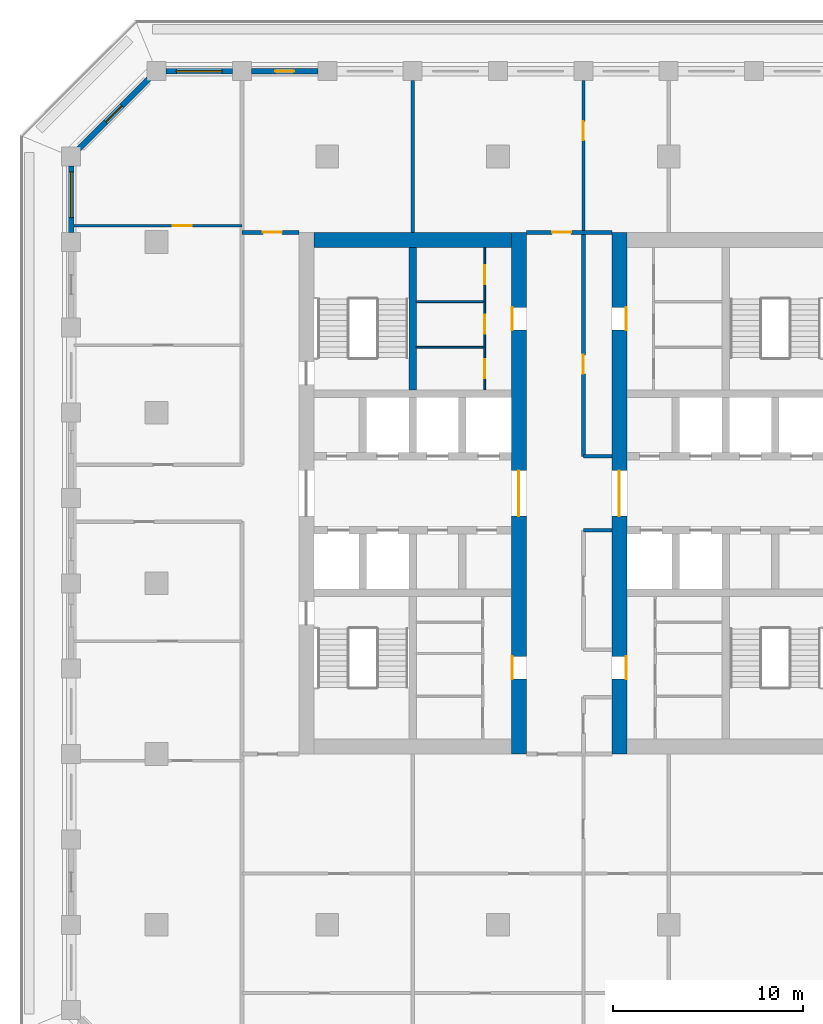
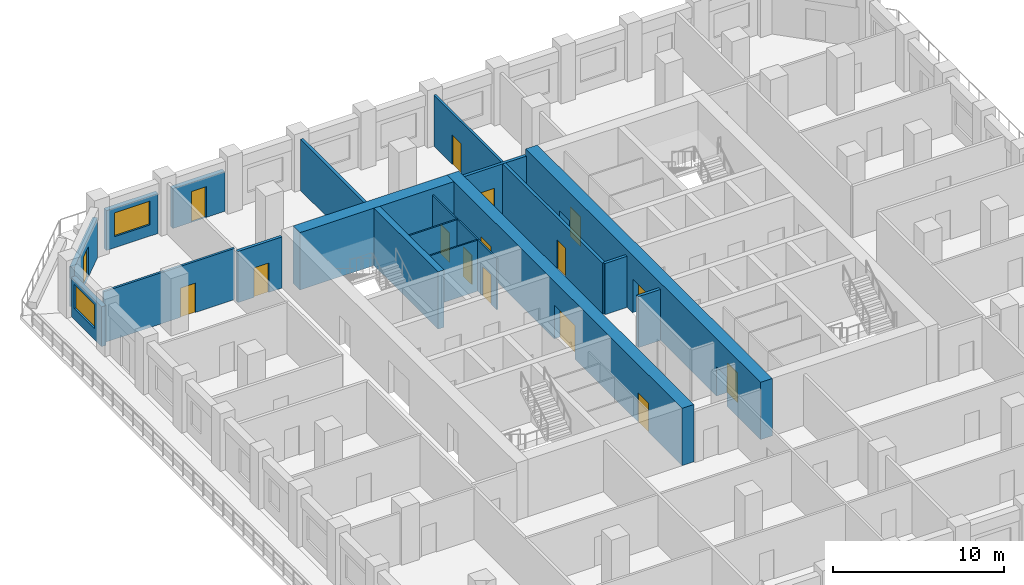
# One storey, part 6 of 16: 21 walls, 16 doors, 2 windows, 18 openings.
"""IFC4 building model written with IfcOpenShell, lengths in metres."""

from ifc_helpers import new_model, si_unit, direction, frame, frame_2d, origin, place, context, subcontext, project, spatial, rectangle, extrude, material, layer, layer_set, type_object, element, fill, save


model = new_model("IFC4")

# Units and contexts
model_context = context("Model", 3, precision=1e-05, world=origin(), true_north=direction((0.0, 1.0)))
body_context = subcontext(model_context, "Body", "Model", "MODEL_VIEW")
ifc_project = project(units=[si_unit("LENGTHUNIT", "METRE"), si_unit("AREAUNIT", "SQUARE_METRE"), si_unit("VOLUMEUNIT", "CUBIC_METRE"), si_unit("PLANEANGLEUNIT", "RADIAN"), si_unit("MASSUNIT", "GRAM", prefix="KILO")], contexts=[model_context])

# Site, building, storey
site_placement = place(None, origin())
site = spatial("IfcSite", under=ifc_project, at=site_placement, CompositionType="ELEMENT")
building_placement = place(site_placement, origin())
building = spatial("IfcBuilding", under=site, at=building_placement, Name="Corbel Stack Research Tower", CompositionType="ELEMENT")
storey_placement = place(building_placement, frame((0.0, 0.0, 203.800048828125)))
storey = spatial("IfcBuildingStorey", under=building, at=storey_placement, Name="L46", CompositionType="ELEMENT", Elevation=203.800048828125)

# Wall
ifc_material_1 = material(Name="Concrete C60/75", Category="concrete")
ifc_layer_1 = layer(ifc_material_1, 0.39990234375)
ifc_layer_set_1 = layer_set([ifc_layer_1], Name="Concrete C60/75")
wall_type_1 = type_object("IfcWallType", Name="CW-400-60", PredefinedType="SHEAR", material=ifc_layer_set_1)
wall_1_placement = place(storey_placement, frame((-4.5, 10.199951171875, 0.0), z_axis=(0.0, 0.0, 1.0), x_axis=(0.0, 1.0, 0.0)))
element("IfcWall", 1, at=wall_1_placement, inside=storey, type_object=wall_type_1, Name="West core wall, north stair and riser L46", PredefinedType="SHEAR", context=body_context, shape_type="SweptSolid", body=[
    extrude(rectangle(XDim=7.5, YDim=0.39990234375, at=frame_2d((3.75, 0.0))), origin(), (0.0, 0.0, 1.0), 4.099853515625),
])

# Wall, openings, doors
ifc_material_2 = material(Name="Concrete C60/75", Category="concrete")
ifc_layer_2 = layer(ifc_material_2, 0.800048828125)
ifc_layer_set_2 = layer_set([ifc_layer_2], Name="Concrete C60/75")
wall_type_2 = type_object("IfcWallType", Name="CW-800-60", PredefinedType="SHEAR", material=ifc_layer_set_2)
wall_2_placement = place(storey_placement, frame((1.10009765625, -9.0, 0.0), z_axis=(0.0, 0.0, 1.0), x_axis=(0.0, 1.0, 0.0)))
wall_2 = element("IfcWall", 2, at=wall_2_placement, inside=storey, type_object=wall_type_2, Name="West core wall, east face L46", PredefinedType="SHEAR", context=body_context, shape_type="SweptSolid", body=[
    extrude(rectangle(XDim=27.5, YDim=0.800048828125, at=frame_2d((13.75, 0.0))), origin(), (0.0, 0.0, 1.0), 4.099853515625),
])
opening_1_placement = place(wall_2_placement, frame((12.550048828125, 0.0, 0.0)))
opening_1 = element("IfcOpeningElement", 3, at=opening_1_placement, cuts=wall_2, Name="Opening CD-W-E", PredefinedType="OPENING", context=body_context, shape_type="SweptSolid", body=[
    extrude(rectangle(XDim=2.39990234375, YDim=2.39990234375, at=frame_2d((1.199951171875, 1.199951171875))), frame((0.0, 0.409912109375, 0.0), z_axis=(0.0, -1.0, 0.0), x_axis=(1.0, 0.0, 0.0)), (0.0, 0.0, 1.0), 0.820068359375),
])
opening_2_placement = place(wall_2_placement, frame((3.949951171875, 0.0, 0.0)))
opening_2 = element("IfcOpeningElement", 4, at=opening_2_placement, cuts=wall_2, Name="Opening CR-W42-W1-1200", PredefinedType="OPENING", context=body_context, shape_type="SweptSolid", body=[
    extrude(rectangle(XDim=1.199951171875, YDim=2.10009765625, at=frame_2d((0.60009765625, 1.050048828125))), frame((0.0, 0.409912109375, 0.0), z_axis=(0.0, -1.0, 0.0), x_axis=(1.0, 0.0, 0.0)), (0.0, 0.0, 1.0), 0.820068359375),
])
opening_3_placement = place(wall_2_placement, frame((22.35009765625, 0.0, 0.0)))
opening_3 = element("IfcOpeningElement", 5, at=opening_3_placement, cuts=wall_2, Name="Opening CR-W42-R1-1200", PredefinedType="OPENING", context=body_context, shape_type="SweptSolid", body=[
    extrude(rectangle(XDim=1.199951171875, YDim=2.10009765625, at=frame_2d((0.60009765625, 1.050048828125))), frame((0.0, 0.409912109375, 0.0), z_axis=(0.0, -1.0, 0.0), x_axis=(1.0, 0.0, 0.0)), (0.0, 0.0, 1.0), 0.820068359375),
])
ifc_material_3 = material(Name="Painted steel fire door", Category="steel")
door_type_1 = type_object("IfcDoorType", Name="Lobby door pair 2400 x 2400 FD30S", OperationType="DOUBLE_DOOR_DOUBLE_SWING", PredefinedType="DOOR", material=ifc_material_3)
door_1_placement = place(opening_1_placement, origin())
door_1 = element("IfcDoor", 6, at=door_1_placement, inside=storey, type_object=door_type_1, Name="Lift lobby door W core E", OperationType="DOUBLE_DOOR_DOUBLE_SWING", OverallHeight=2.39990234375, OverallWidth=2.39990234375, PredefinedType="DOOR", context=body_context, shape_type="SweptSolid", body=[
    extrude(rectangle(XDim=2.39990234375, YDim=2.39990234375, at=frame_2d((1.199951171875, 1.199951171875))), frame((0.0, 0.02490234375, 0.0), z_axis=(0.0, -1.0, 0.0), x_axis=(1.0, 0.0, 0.0)), (0.0, 0.0, 1.0), 0.050048828125),
])
fill(opening_1, door_1)
ifc_material_4 = material(Name="Painted steel door", Category="steel")
door_type_2 = type_object("IfcDoorType", Name="Service door 1200 x 2100 FD30 left hand", OperationType="SINGLE_SWING_LEFT", PredefinedType="DOOR", material=ifc_material_4)
door_2_placement = place(opening_3_placement, origin())
door_2 = element("IfcDoor", 7, at=door_2_placement, inside=storey, type_object=door_type_2, Name="Service passage door W core", OperationType="SINGLE_SWING_LEFT", OverallHeight=2.10009765625, OverallWidth=1.199951171875, PredefinedType="DOOR", context=body_context, shape_type="SweptSolid", body=[
    extrude(rectangle(XDim=1.199951171875, YDim=2.10009765625, at=frame_2d((0.60009765625, 1.050048828125))), frame((0.0, 0.375, 0.0), z_axis=(0.0, -1.0, 0.0), x_axis=(1.0, 0.0, 0.0)), (0.0, 0.0, 1.0), 0.050048828125),
])
fill(opening_3, door_2)
ifc_material_5 = material(Name="Painted timber door", Category="wood")
door_type_3 = type_object("IfcDoorType", Name="WC door 1200 x 2100 left hand", OperationType="SINGLE_SWING_LEFT", PredefinedType="DOOR", material=ifc_material_5)
door_3_placement = place(opening_2_placement, origin())
door_3 = element("IfcDoor", 8, at=door_3_placement, inside=storey, type_object=door_type_3, Name="WC lobby door W core", OperationType="SINGLE_SWING_LEFT", OverallHeight=2.10009765625, OverallWidth=1.199951171875, PredefinedType="DOOR", context=body_context, shape_type="SweptSolid", body=[
    extrude(rectangle(XDim=1.199951171875, YDim=2.10009765625, at=frame_2d((0.60009765625, 1.050048828125))), frame((0.0, 0.375, 0.0), z_axis=(0.0, -1.0, 0.0), x_axis=(1.0, 0.0, 0.0)), (0.0, 0.0, 1.0), 0.050048828125),
])
fill(opening_2, door_3)

# Wall
wall_3_placement = place(storey_placement, frame((-9.699951171875, 18.10009765625, 0.0), z_axis=(0.0, 0.0, 1.0), x_axis=(1.0, 0.0, 0.0)))
element("IfcWall", 9, at=wall_3_placement, inside=storey, type_object=wall_type_2, Name="West core wall, north end L46", PredefinedType="SHEAR", context=body_context, shape_type="SweptSolid", body=[
    extrude(rectangle(XDim=10.39990234375, YDim=0.800048828125, at=frame_2d((5.199951171875, 0.0))), origin(), (0.0, 0.0, 1.0), 4.099853515625),
])

# Wall, openings, doors
wall_4_placement = place(storey_placement, frame((6.39990234375, -9.0, 0.0), z_axis=(0.0, 0.0, 1.0), x_axis=(0.0, 1.0, 0.0)))
wall_4 = element("IfcWall", 10, at=wall_4_placement, inside=storey, type_object=wall_type_2, Name="East core wall, west face L46", PredefinedType="SHEAR", context=body_context, shape_type="SweptSolid", body=[
    extrude(rectangle(XDim=27.5, YDim=0.800048828125, at=frame_2d((13.75, 0.0))), origin(), (0.0, 0.0, 1.0), 4.099853515625),
])
opening_4_placement = place(wall_4_placement, frame((12.550048828125, 0.0, 0.0)))
opening_4 = element("IfcOpeningElement", 11, at=opening_4_placement, cuts=wall_4, Name="Opening CD-E-W", PredefinedType="OPENING", context=body_context, shape_type="SweptSolid", body=[
    extrude(rectangle(XDim=2.39990234375, YDim=2.39990234375, at=frame_2d((1.199951171875, 1.199951171875))), frame((0.0, 0.409912109375, 0.0), z_axis=(0.0, -1.0, 0.0), x_axis=(1.0, 0.0, 0.0)), (0.0, 0.0, 1.0), 0.820068359375),
])
opening_5_placement = place(wall_4_placement, frame((3.949951171875, 0.0, 0.0)))
opening_5 = element("IfcOpeningElement", 12, at=opening_5_placement, cuts=wall_4, Name="Opening CR-E42-W1-1200", PredefinedType="OPENING", context=body_context, shape_type="SweptSolid", body=[
    extrude(rectangle(XDim=1.199951171875, YDim=2.10009765625, at=frame_2d((0.60009765625, 1.050048828125))), frame((0.0, 0.409912109375, 0.0), z_axis=(0.0, -1.0, 0.0), x_axis=(1.0, 0.0, 0.0)), (0.0, 0.0, 1.0), 0.820068359375),
])
opening_6_placement = place(wall_4_placement, frame((22.35009765625, 0.0, 0.0)))
opening_6 = element("IfcOpeningElement", 13, at=opening_6_placement, cuts=wall_4, Name="Opening CR-E42-R1-1200", PredefinedType="OPENING", context=body_context, shape_type="SweptSolid", body=[
    extrude(rectangle(XDim=1.199951171875, YDim=2.10009765625, at=frame_2d((0.60009765625, 1.050048828125))), frame((0.0, 0.409912109375, 0.0), z_axis=(0.0, -1.0, 0.0), x_axis=(1.0, 0.0, 0.0)), (0.0, 0.0, 1.0), 0.820068359375),
])
door_4_placement = place(opening_4_placement, origin())
door_4 = element("IfcDoor", 14, at=door_4_placement, inside=storey, type_object=door_type_1, Name="Lift lobby door E core W", OperationType="DOUBLE_DOOR_DOUBLE_SWING", OverallHeight=2.39990234375, OverallWidth=2.39990234375, PredefinedType="DOOR", context=body_context, shape_type="SweptSolid", body=[
    extrude(rectangle(XDim=2.39990234375, YDim=2.39990234375, at=frame_2d((1.199951171875, 1.199951171875))), frame((0.0, 0.02490234375, 0.0), z_axis=(0.0, -1.0, 0.0), x_axis=(1.0, 0.0, 0.0)), (0.0, 0.0, 1.0), 0.050048828125),
])
fill(opening_4, door_4)
ifc_material_6 = material(Name="Painted steel door", Category="steel")
door_type_4 = type_object("IfcDoorType", Name="Service door 1200 x 2100 FD30 right hand", OperationType="SINGLE_SWING_RIGHT", PredefinedType="DOOR", material=ifc_material_6)
door_5_placement = place(opening_6_placement, origin())
door_5 = element("IfcDoor", 15, at=door_5_placement, inside=storey, type_object=door_type_4, Name="Service passage door E core", OperationType="SINGLE_SWING_RIGHT", OverallHeight=2.10009765625, OverallWidth=1.199951171875, PredefinedType="DOOR", context=body_context, shape_type="SweptSolid", body=[
    extrude(rectangle(XDim=1.199951171875, YDim=2.10009765625, at=frame_2d((0.60009765625, 1.050048828125))), frame((0.0, -0.3251953125, 0.0), z_axis=(0.0, -1.0, 0.0), x_axis=(1.0, 0.0, 0.0)), (0.0, 0.0, 1.0), 0.050048828125),
])
fill(opening_6, door_5)
ifc_material_7 = material(Name="Painted timber door", Category="wood")
door_type_5 = type_object("IfcDoorType", Name="WC door 1200 x 2100 right hand", OperationType="SINGLE_SWING_RIGHT", PredefinedType="DOOR", material=ifc_material_7)
door_6_placement = place(opening_5_placement, origin())
door_6 = element("IfcDoor", 16, at=door_6_placement, inside=storey, type_object=door_type_5, Name="WC lobby door E core", OperationType="SINGLE_SWING_RIGHT", OverallHeight=2.10009765625, OverallWidth=1.199951171875, PredefinedType="DOOR", context=body_context, shape_type="SweptSolid", body=[
    extrude(rectangle(XDim=1.199951171875, YDim=2.10009765625, at=frame_2d((0.60009765625, 1.050048828125))), frame((0.0, -0.3251953125, 0.0), z_axis=(0.0, -1.0, 0.0), x_axis=(1.0, 0.0, 0.0)), (0.0, 0.0, 1.0), 0.050048828125),
])
fill(opening_5, door_6)

# Wall, opening, door
ifc_material_8 = material(Name="Gypsum board")
ifc_layer_3 = layer(ifc_material_8, 0.10009765625)
ifc_layer_set_3 = layer_set([ifc_layer_3], Name="Gypsum board")
wall_type_3 = type_object("IfcWallType", Name="Core partition 100", PredefinedType="PARTITIONING", material=ifc_layer_set_3)
wall_5_placement = place(storey_placement, frame((-0.699951171875, 10.199951171875, 0.0), z_axis=(0.0, 0.0, 1.0), x_axis=(0.0, 1.0, 0.0)))
wall_5 = element("IfcWall", 17, at=wall_5_placement, inside=storey, type_object=wall_type_3, Name="Core partition W", PredefinedType="PARTITIONING", context=body_context, shape_type="SweptSolid", body=[
    extrude(rectangle(XDim=2.25, YDim=0.10009765625, at=frame_2d((1.125, 0.0))), origin(), (0.0, 0.0, 1.0), 3.64990234375),
])
opening_7_placement = place(wall_5_placement, frame((0.625, 0.0, 0.0)))
opening_7 = element("IfcOpeningElement", 18, at=opening_7_placement, cuts=wall_5, Name="Opening CR-W42-R2-1000", PredefinedType="OPENING", context=body_context, shape_type="SweptSolid", body=[
    extrude(rectangle(XDim=1.0, YDim=2.10009765625, at=frame_2d((0.5, 1.050048828125))), frame((0.0, 0.06005859375, 0.0), z_axis=(0.0, -1.0, 0.0), x_axis=(1.0, 0.0, 0.0)), (0.0, 0.0, 1.0), 0.1201171875),
])
ifc_material_9 = material(Name="Painted steel door", Category="steel")
door_type_6 = type_object("IfcDoorType", Name="Riser door 1000 x 2100 FD60 right hand", OperationType="SINGLE_SWING_RIGHT", PredefinedType="DOOR", material=ifc_material_9)
door_7_placement = place(opening_7_placement, origin())
door_7 = element("IfcDoor", 19, at=door_7_placement, inside=storey, type_object=door_type_6, Name="Mechanical riser door W core", OperationType="SINGLE_SWING_RIGHT", OverallHeight=2.10009765625, OverallWidth=1.0, PredefinedType="DOOR", context=body_context, shape_type="SweptSolid", body=[
    extrude(rectangle(XDim=1.0, YDim=2.10009765625, at=frame_2d((0.5, 1.050048828125))), frame((0.0, 0.02490234375, 0.0), z_axis=(0.0, -1.0, 0.0), x_axis=(1.0, 0.0, 0.0)), (0.0, 0.0, 1.0), 0.050048828125),
])
fill(opening_7, door_7)

wall_6_placement = place(storey_placement, frame((-0.699951171875, 12.449951171875, 0.0), z_axis=(0.0, 0.0, 1.0), x_axis=(0.0, 1.0, 0.0)))
wall_6 = element("IfcWall", 20, at=wall_6_placement, inside=storey, type_object=wall_type_3, Name="Core partition W", PredefinedType="PARTITIONING", context=body_context, shape_type="SweptSolid", body=[
    extrude(rectangle(XDim=2.400146484375, YDim=0.10009765625, at=frame_2d((1.2001953125, 0.0))), origin(), (0.0, 0.0, 1.0), 3.64990234375),
])
opening_8_placement = place(wall_6_placement, frame((0.699951171875, 0.0, 0.0)))
opening_8 = element("IfcOpeningElement", 21, at=opening_8_placement, cuts=wall_6, Name="Opening CR-W42-R3-1000", PredefinedType="OPENING", context=body_context, shape_type="SweptSolid", body=[
    extrude(rectangle(XDim=1.0, YDim=2.10009765625, at=frame_2d((0.5, 1.050048828125))), frame((0.0, 0.06005859375, 0.0), z_axis=(0.0, -1.0, 0.0), x_axis=(1.0, 0.0, 0.0)), (0.0, 0.0, 1.0), 0.1201171875),
])
ifc_material_10 = material(Name="Painted steel door", Category="steel")
door_type_7 = type_object("IfcDoorType", Name="Service door 1000 x 2100 FD30 left hand", OperationType="SINGLE_SWING_LEFT", PredefinedType="DOOR", material=ifc_material_10)
door_8_placement = place(opening_8_placement, origin())
door_8 = element("IfcDoor", 22, at=door_8_placement, inside=storey, type_object=door_type_7, Name="Pantry door W core", OperationType="SINGLE_SWING_LEFT", OverallHeight=2.10009765625, OverallWidth=1.0, PredefinedType="DOOR", context=body_context, shape_type="SweptSolid", body=[
    extrude(rectangle(XDim=1.0, YDim=2.10009765625, at=frame_2d((0.5, 1.050048828125))), frame((0.0, 0.02490234375, 0.0), z_axis=(0.0, -1.0, 0.0), x_axis=(1.0, 0.0, 0.0)), (0.0, 0.0, 1.0), 0.050048828125),
])
fill(opening_8, door_8)

wall_7_placement = place(storey_placement, frame((-0.699951171875, 14.85009765625, 0.0), z_axis=(0.0, 0.0, 1.0), x_axis=(0.0, 1.0, 0.0)))
wall_7 = element("IfcWall", 23, at=wall_7_placement, inside=storey, type_object=wall_type_3, Name="Core partition W", PredefinedType="PARTITIONING", context=body_context, shape_type="SweptSolid", body=[
    extrude(rectangle(XDim=2.849853515625, YDim=0.10009765625, at=frame_2d((1.4248046875, 0.0))), origin(), (0.0, 0.0, 1.0), 3.64990234375),
])
opening_9_placement = place(wall_7_placement, frame((0.925048828125, 0.0, 0.0)))
opening_9 = element("IfcOpeningElement", 24, at=opening_9_placement, cuts=wall_7, Name="Opening CR-W42-R4-1000", PredefinedType="OPENING", context=body_context, shape_type="SweptSolid", body=[
    extrude(rectangle(XDim=1.0, YDim=2.10009765625, at=frame_2d((0.5, 1.050048828125))), frame((0.0, 0.06005859375, 0.0), z_axis=(0.0, -1.0, 0.0), x_axis=(1.0, 0.0, 0.0)), (0.0, 0.0, 1.0), 0.1201171875),
])
door_9_placement = place(opening_9_placement, origin())
door_9 = element("IfcDoor", 25, at=door_9_placement, inside=storey, type_object=door_type_6, Name="Electrical riser door W core", OperationType="SINGLE_SWING_RIGHT", OverallHeight=2.10009765625, OverallWidth=1.0, PredefinedType="DOOR", context=body_context, shape_type="SweptSolid", body=[
    extrude(rectangle(XDim=1.0, YDim=2.10009765625, at=frame_2d((0.5, 1.050048828125))), frame((0.0, 0.02490234375, 0.0), z_axis=(0.0, -1.0, 0.0), x_axis=(1.0, 0.0, 0.0)), (0.0, 0.0, 1.0), 0.050048828125),
])
fill(opening_9, door_9)

# Walls
for number, where, z_axis, x_axis, name in (
    (26, (-4.300048828125, 12.449951171875, 0.0), (0.0, 0.0, 1.0), (1.0, 0.0, 0.0), "Core partition W"),
    (27, (-4.300048828125, 14.85009765625, 0.0), (0.0, 0.0, 1.0), (1.0, 0.0, 0.0), "Core partition W"),
):
    element("IfcWall", number, at=place(storey_placement, frame(where, z_axis=z_axis, x_axis=x_axis)), inside=storey, type_object=wall_type_3, Name=name, PredefinedType="PARTITIONING", context=body_context, shape_type="SweptSolid", body=[
        extrude(rectangle(XDim=3.60009765625, YDim=0.10009765625, at=frame_2d((1.800048828125, 0.0))), origin(), (0.0, 0.0, 1.0), 3.64990234375),
    ])

# Wall, opening, door
ifc_material_11 = material(Name="Fire-rated gypsum board partition on steel studs", Category="steel")
ifc_layer_4 = layer(ifc_material_11, 0.14990234375)
ifc_layer_set_4 = layer_set([ifc_layer_4], Name="Fire-rated gypsum board partition on steel studs")
wall_type_4 = type_object("IfcWallType", Name="Fire-rated partition 150 EI 60", PredefinedType="PARTITIONING", material=ifc_layer_set_4)
wall_8_placement = place(storey_placement, frame((4.5, 26.5, 0.0), z_axis=(0.0, 0.0, 1.0), x_axis=(0.0, -1.0, 0.0)))
wall_8 = element("IfcWall", 28, at=wall_8_placement, inside=storey, type_object=wall_type_4, Name="Partition L46-006", PredefinedType="PARTITIONING", context=body_context, shape_type="SweptSolid", body=[
    extrude(rectangle(XDim=8.0, YDim=0.14990234375, at=frame_2d((4.0, 0.0))), origin(), (0.0, 0.0, 1.0), 3.64990234375),
])
opening_10_placement = place(wall_8_placement, frame((2.14990234375, 0.0, 0.0)))
opening_10 = element("IfcOpeningElement", 29, at=opening_10_placement, cuts=wall_8, Name="Opening B6V1-022", PredefinedType="OPENING", context=body_context, shape_type="SweptSolid", body=[
    extrude(rectangle(XDim=1.0, YDim=2.10009765625, at=frame_2d((0.5, 1.050048828125))), frame((0.0, 0.0849609375, 0.0), z_axis=(0.0, -1.0, 0.0), x_axis=(1.0, 0.0, 0.0)), (0.0, 0.0, 1.0), 0.169921875),
])
ifc_material_12 = material(Name="Painted steel fire door", Category="steel")
door_type_8 = type_object("IfcDoorType", Name="Fire door FD30S 1000 x 2100", OperationType="NOTDEFINED", PredefinedType="DOOR", material=ifc_material_12)
door_10_placement = place(opening_10_placement, origin())
door_10 = element("IfcDoor", 30, at=door_10_placement, inside=storey, type_object=door_type_8, Name="Door B6V1-022", OperationType="SINGLE_SWING_LEFT", OverallHeight=2.10009765625, OverallWidth=1.0, PredefinedType="DOOR", context=body_context, shape_type="SweptSolid", body=[
    extrude(rectangle(XDim=1.0, YDim=2.10009765625, at=frame_2d((0.5, 1.050048828125))), frame((0.0, 0.02490234375, 0.0), z_axis=(0.0, -1.0, 0.0), x_axis=(1.0, 0.0, 0.0)), (0.0, 0.0, 1.0), 0.050048828125),
])
fill(opening_10, door_10)

# Wall
ifc_material_13 = material(Name="Fire-rated gypsum board partition on steel studs", Category="steel")
ifc_layer_5 = layer(ifc_material_13, 0.199951171875)
ifc_layer_set_5 = layer_set([ifc_layer_5], Name="Fire-rated gypsum board partition on steel studs")
wall_type_5 = type_object("IfcWallType", Name="Fire-rated partition 200 EI 60", PredefinedType="PARTITIONING", material=ifc_layer_set_5)
wall_9_placement = place(storey_placement, frame((-4.5, 18.5, 0.0), z_axis=(0.0, 0.0, 1.0), x_axis=(0.0, 1.0, 0.0)))
element("IfcWall", 31, at=wall_9_placement, inside=storey, type_object=wall_type_5, Name="Partition L46-004", PredefinedType="PARTITIONING", context=body_context, shape_type="SweptSolid", body=[
    extrude(rectangle(XDim=8.0, YDim=0.199951171875, at=frame_2d((4.0, 0.0))), origin(), (0.0, 0.0, 1.0), 3.64990234375),
])

# Wall, opening, door
wall_10_placement = place(storey_placement, frame((4.5, 18.5, 0.0), z_axis=(0.0, 0.0, 1.0), x_axis=(0.0, -1.0, 0.0)))
wall_10 = element("IfcWall", 32, at=wall_10_placement, inside=storey, type_object=wall_type_5, Name="Partition L46-009", PredefinedType="PARTITIONING", context=body_context, shape_type="SweptSolid", body=[
    extrude(rectangle(XDim=11.800048828125, YDim=0.199951171875, at=frame_2d((5.89990234375, 0.0))), origin(), (0.0, 0.0, 1.0), 3.64990234375),
])
opening_11_placement = place(wall_10_placement, frame((6.449951171875, 0.0, 0.0)))
opening_11 = element("IfcOpeningElement", 33, at=opening_11_placement, cuts=wall_10, Name="Opening B6V1-021", PredefinedType="OPENING", context=body_context, shape_type="SweptSolid", body=[
    extrude(rectangle(XDim=1.0, YDim=2.10009765625, at=frame_2d((0.5, 1.050048828125))), frame((0.0, 0.10986328125, 0.0), z_axis=(0.0, -1.0, 0.0), x_axis=(1.0, 0.0, 0.0)), (0.0, 0.0, 1.0), 0.219970703125),
])
door_11_placement = place(opening_11_placement, origin())
door_11 = element("IfcDoor", 34, at=door_11_placement, inside=storey, type_object=door_type_8, Name="Door B6V1-021", OperationType="SINGLE_SWING_RIGHT", OverallHeight=2.10009765625, OverallWidth=1.0, PredefinedType="DOOR", context=body_context, shape_type="SweptSolid", body=[
    extrude(rectangle(XDim=1.0, YDim=2.10009765625, at=frame_2d((0.5, 1.050048828125))), frame((0.0, 0.02490234375, 0.0), z_axis=(0.0, -1.0, 0.0), x_axis=(1.0, 0.0, 0.0)), (0.0, 0.0, 1.0), 0.050048828125),
])
fill(opening_11, door_11)

# Walls
for number, where, z_axis, x_axis, name in (
    (35, (4.5, 2.800048828125, 0.0), (0.0, 0.0, 1.0), (1.0, 0.0, 0.0), "Partition L46-030"),
    (36, (4.5, 6.699951171875, 0.0), (0.0, 0.0, 1.0), (1.0, 0.0, 0.0), "Partition L46-035"),
):
    element("IfcWall", number, at=place(storey_placement, frame(where, z_axis=z_axis, x_axis=x_axis)), inside=storey, type_object=wall_type_5, Name=name, PredefinedType="PARTITIONING", context=body_context, shape_type="SweptSolid", body=[
        extrude(rectangle(XDim=1.5, YDim=0.199951171875, at=frame_2d((0.75, 0.0))), origin(), (0.0, 0.0, 1.0), 3.64990234375),
    ])

# Wall, opening, door
wall_11_placement = place(storey_placement, frame((-13.5, 18.5, 0.0), z_axis=(0.0, 0.0, 1.0), x_axis=(1.0, 0.0, 0.0)))
wall_11 = element("IfcWall", 37, at=wall_11_placement, inside=storey, type_object=wall_type_5, Name="Partition L46-038", PredefinedType="PARTITIONING", context=body_context, shape_type="SweptSolid", body=[
    extrude(rectangle(XDim=3.0, YDim=0.199951171875, at=frame_2d((1.5, 0.0))), origin(), (0.0, 0.0, 1.0), 3.64990234375),
])
opening_12_placement = place(wall_11_placement, frame((1.10009765625, 0.0, 0.0)))
opening_12 = element("IfcOpeningElement", 38, at=opening_12_placement, cuts=wall_11, Name="Opening B6V1-027", PredefinedType="OPENING", context=body_context, shape_type="SweptSolid", body=[
    extrude(rectangle(XDim=1.0, YDim=2.10009765625, at=frame_2d((0.5, 1.050048828125))), frame((0.0, 0.10986328125, 0.0), z_axis=(0.0, -1.0, 0.0), x_axis=(1.0, 0.0, 0.0)), (0.0, 0.0, 1.0), 0.219970703125),
])
door_12_placement = place(opening_12_placement, origin())
door_12 = element("IfcDoor", 39, at=door_12_placement, inside=storey, type_object=door_type_8, Name="Door B6V1-027", OperationType="SINGLE_SWING_RIGHT", OverallHeight=2.10009765625, OverallWidth=1.0, PredefinedType="DOOR", context=body_context, shape_type="SweptSolid", body=[
    extrude(rectangle(XDim=1.0, YDim=2.10009765625, at=frame_2d((0.5, 1.050048828125))), frame((0.0, 0.02490234375, 0.0), z_axis=(0.0, -1.0, 0.0), x_axis=(1.0, 0.0, 0.0)), (0.0, 0.0, 1.0), 0.050048828125),
])
fill(opening_12, door_12)

wall_12_placement = place(storey_placement, frame((1.5, 18.5, 0.0), z_axis=(0.0, 0.0, 1.0), x_axis=(1.0, 0.0, 0.0)))
wall_12 = element("IfcWall", 40, at=wall_12_placement, inside=storey, type_object=wall_type_5, Name="Partition L46-039", PredefinedType="PARTITIONING", context=body_context, shape_type="SweptSolid", body=[
    extrude(rectangle(XDim=4.5, YDim=0.199951171875, at=frame_2d((2.25, 0.0))), origin(), (0.0, 0.0, 1.0), 3.64990234375),
])
opening_13_placement = place(wall_12_placement, frame((1.35009765625, 0.0, 0.0)))
opening_13 = element("IfcOpeningElement", 41, at=opening_13_placement, cuts=wall_12, Name="Opening B6V1-028", PredefinedType="OPENING", context=body_context, shape_type="SweptSolid", body=[
    extrude(rectangle(XDim=1.0, YDim=2.10009765625, at=frame_2d((0.5, 1.050048828125))), frame((0.0, 0.10986328125, 0.0), z_axis=(0.0, -1.0, 0.0), x_axis=(1.0, 0.0, 0.0)), (0.0, 0.0, 1.0), 0.219970703125),
])
door_13_placement = place(opening_13_placement, origin())
door_13 = element("IfcDoor", 42, at=door_13_placement, inside=storey, type_object=door_type_8, Name="Door B6V1-028", OperationType="SINGLE_SWING_LEFT", OverallHeight=2.10009765625, OverallWidth=1.0, PredefinedType="DOOR", context=body_context, shape_type="SweptSolid", body=[
    extrude(rectangle(XDim=1.0, YDim=2.10009765625, at=frame_2d((0.5, 1.050048828125))), frame((0.0, 0.02490234375, 0.0), z_axis=(0.0, -1.0, 0.0), x_axis=(1.0, 0.0, 0.0)), (0.0, 0.0, 1.0), 0.050048828125),
])
fill(opening_13, door_13)

ifc_material_14 = material(Name="Gypsum board partition on steel studs", Category="steel")
ifc_layer_6 = layer(ifc_material_14, 0.14990234375)
ifc_layer_set_6 = layer_set([ifc_layer_6], Name="Gypsum board partition on steel studs")
wall_type_6 = type_object("IfcWallType", Name="Partition 150", PredefinedType="PARTITIONING", material=ifc_layer_set_6)
wall_13_placement = place(storey_placement, frame((-22.35009765625, 18.85009765625, 0.0), z_axis=(0.0, 0.0, 1.0), x_axis=(1.0, 0.0, 0.0)))
wall_13 = element("IfcWall", 43, at=wall_13_placement, inside=storey, type_object=wall_type_6, Name="Partition L46-041", PredefinedType="PARTITIONING", context=body_context, shape_type="SweptSolid", body=[
    extrude(rectangle(XDim=8.85009765625, YDim=0.14990234375, at=frame_2d((4.425048828125, 0.0))), origin(), (0.0, 0.0, 1.0), 3.64990234375),
])
opening_14_placement = place(wall_13_placement, frame((5.199951171875, 0.0, 0.0)))
opening_14 = element("IfcOpeningElement", 44, at=opening_14_placement, cuts=wall_13, Name="Opening B6V1-030", PredefinedType="OPENING", context=body_context, shape_type="SweptSolid", body=[
    extrude(rectangle(XDim=1.0, YDim=2.10009765625, at=frame_2d((0.5, 1.050048828125))), frame((0.0, 0.0849609375, 0.0), z_axis=(0.0, -1.0, 0.0), x_axis=(1.0, 0.0, 0.0)), (0.0, 0.0, 1.0), 0.169921875),
])
ifc_material_15 = material(Name="Painted timber door", Category="wood")
door_type_9 = type_object("IfcDoorType", Name="Single door 1000 x 2100", OperationType="NOTDEFINED", PredefinedType="DOOR", material=ifc_material_15)
door_14_placement = place(opening_14_placement, origin())
door_14 = element("IfcDoor", 45, at=door_14_placement, inside=storey, type_object=door_type_9, Name="Door B6V1-030", OperationType="SINGLE_SWING_RIGHT", OverallHeight=2.10009765625, OverallWidth=1.0, PredefinedType="DOOR", context=body_context, shape_type="SweptSolid", body=[
    extrude(rectangle(XDim=1.0, YDim=2.10009765625, at=frame_2d((0.5, 1.050048828125))), frame((0.0, 0.02490234375, 0.0), z_axis=(0.0, -1.0, 0.0), x_axis=(1.0, 0.0, 0.0)), (0.0, 0.0, 1.0), 0.050048828125),
])
fill(opening_14, door_14)

ifc_material_16 = material(Name="Concrete C45/55", Category="concrete")
ifc_layer_7 = layer(ifc_material_16, 0.300048828125)
ifc_layer_set_7 = layer_set([ifc_layer_7], Name="Concrete C45/55")
wall_type_7 = type_object("IfcWallType", Name="Terracotta-faced concrete wall 300", PredefinedType="SOLIDWALL", material=ifc_layer_set_7)
wall_14_placement = place(storey_placement, frame((-13.0, 27.0, 0.0), z_axis=(0.0, 0.0, 1.0), x_axis=(1.0, 0.0, 0.0)))
wall_14 = element("IfcWall", 46, at=wall_14_placement, inside=storey, type_object=wall_type_7, Name="Facade wall L46 N09", PredefinedType="SOLIDWALL", context=body_context, shape_type="SweptSolid", body=[
    extrude(rectangle(XDim=3.5, YDim=0.300048828125, at=frame_2d((1.75, 0.0))), origin(), (0.0, 0.0, 1.0), 2.849853515625),
])
opening_15_placement = place(wall_14_placement, frame((1.25, 0.0, 0.0)))
opening_15 = element("IfcOpeningElement", 47, at=opening_15_placement, cuts=wall_14, Name="Opening L46-B08", PredefinedType="OPENING", context=body_context, shape_type="SweptSolid", body=[
    extrude(rectangle(XDim=1.0, YDim=2.199951171875, at=frame_2d((0.5, 1.10009765625))), frame((0.0, 0.159912109375, 0.0), z_axis=(0.0, -1.0, 0.0), x_axis=(1.0, 0.0, 0.0)), (0.0, 0.0, 1.0), 0.320068359375),
])
ifc_material_17 = material(Name="Aluminium frame, clear double glazing", Category="aluminium")
door_type_10 = type_object("IfcDoorType", Name="Balcony door BD1 1000 x 2200", OperationType="NOTDEFINED", PredefinedType="DOOR", material=ifc_material_17)
door_15_placement = place(opening_15_placement, origin())
door_15 = element("IfcDoor", 48, at=door_15_placement, inside=storey, type_object=door_type_10, Name="Balcony door L46-B08", OperationType="SINGLE_SWING_LEFT", OverallHeight=2.199951171875, OverallWidth=1.0, PredefinedType="DOOR", context=body_context, shape_type="SweptSolid", body=[
    extrude(rectangle(XDim=1.0, YDim=2.199951171875, at=frame_2d((0.5, 1.10009765625))), frame((0.0, 0.02490234375, 0.0), z_axis=(0.0, -1.0, 0.0), x_axis=(1.0, 0.0, 0.0)), (0.0, 0.0, 1.0), 0.050048828125),
])
fill(opening_15, door_15)

# Wall, opening, window
wall_15_placement = place(storey_placement, frame((-17.5, 27.0, 0.0), z_axis=(0.0, 0.0, 1.0), x_axis=(1.0, 0.0, 0.0)))
wall_15 = element("IfcWall", 49, at=wall_15_placement, inside=storey, type_object=wall_type_7, Name="Facade wall L46 N10", PredefinedType="SOLIDWALL", context=body_context, shape_type="SweptSolid", body=[
    extrude(rectangle(XDim=3.5, YDim=0.300048828125, at=frame_2d((1.75, 0.0))), origin(), (0.0, 0.0, 1.0), 2.849853515625),
])
opening_16_placement = place(wall_15_placement, frame((0.550048828125, 0.0, 0.800048828125)))
opening_16 = element("IfcOpeningElement", 50, at=opening_16_placement, cuts=wall_15, Name="Opening W1", PredefinedType="OPENING", context=body_context, shape_type="SweptSolid", body=[
    extrude(rectangle(XDim=2.39990234375, YDim=1.699951171875, at=frame_2d((1.199951171875, 0.85009765625))), frame((0.0, 0.159912109375, 0.0), z_axis=(0.0, -1.0, 0.0), x_axis=(1.0, 0.0, 0.0)), (0.0, 0.0, 1.0), 0.320068359375),
])
ifc_material_18 = material(Name="Aluminium frame, clear double glazing", Category="aluminium")
window_type = type_object("IfcWindowType", Name="Window W1 2400 x 1700", PartitioningType="SINGLE_PANEL", PredefinedType="WINDOW", material=ifc_material_18)
window_1_placement = place(opening_16_placement, origin())
window_1 = element("IfcWindow", 51, at=window_1_placement, inside=storey, type_object=window_type, Name="Window W1 L46 N10", OverallHeight=1.699951171875, OverallWidth=2.39990234375, PartitioningType="SINGLE_PANEL", PredefinedType="WINDOW", context=body_context, shape_type="SweptSolid", body=[
    extrude(rectangle(XDim=2.39990234375, YDim=1.699951171875, at=frame_2d((1.199951171875, 0.85009765625))), frame((0.0, 0.030029296875, 0.0), z_axis=(0.0, -1.0, 0.0), x_axis=(1.0, 0.0, 0.0)), (0.0, 0.0, 1.0), 0.06005859375),
])
fill(opening_16, window_1)

# Wall, opening, door
wall_16_placement = place(storey_placement, frame((-22.106201171875, 22.893798828125, 0.0), z_axis=(0.0, 0.0, 1.0), x_axis=(0.707106781187, 0.707106781187, 0.0)))
wall_16 = element("IfcWall", 52, at=wall_16_placement, inside=storey, type_object=wall_type_7, Name="Facade wall L46 NW01", PredefinedType="SOLIDWALL", context=body_context, shape_type="SweptSolid", body=[
    extrude(rectangle(XDim=5.250244140625, YDim=0.300048828125, at=frame_2d((2.625, 0.0))), origin(), (0.0, 0.0, 1.0), 2.849853515625),
])
opening_17_placement = place(wall_16_placement, frame((2.02490234375, 0.0, 0.0)))
opening_17 = element("IfcOpeningElement", 53, at=opening_17_placement, cuts=wall_16, Name="Opening L46-B09", PredefinedType="OPENING", context=body_context, shape_type="SweptSolid", body=[
    extrude(rectangle(XDim=1.199951171875, YDim=2.199951171875, at=frame_2d((0.60009765625, 1.10009765625))), frame((0.0, 0.159912109375, 0.0), z_axis=(0.0, -1.0, 0.0), x_axis=(1.0, 0.0, 0.0)), (0.0, 0.0, 1.0), 0.320068359375),
])
ifc_material_19 = material(Name="Aluminium frame, clear double glazing", Category="aluminium")
door_type_11 = type_object("IfcDoorType", Name="Balcony door BD2 1200 x 2200", OperationType="NOTDEFINED", PredefinedType="DOOR", material=ifc_material_19)
door_16_placement = place(opening_17_placement, origin())
door_16 = element("IfcDoor", 54, at=door_16_placement, inside=storey, type_object=door_type_11, Name="Balcony door L46-B09", OperationType="SINGLE_SWING_LEFT", OverallHeight=2.199951171875, OverallWidth=1.199951171875, PredefinedType="DOOR", context=body_context, shape_type="SweptSolid", body=[
    extrude(rectangle(XDim=1.199951171875, YDim=2.199951171875, at=frame_2d((0.60009765625, 1.10009765625))), frame((0.0, 0.02490234375, 0.0), z_axis=(0.0, -1.0, 0.0), x_axis=(1.0, 0.0, 0.0)), (0.0, 0.0, 1.0), 0.050048828125),
])
fill(opening_17, door_16)

# Wall, opening, window
wall_17_placement = place(storey_placement, frame((-22.5, 18.5, 0.0), z_axis=(0.0, 0.0, 1.0), x_axis=(0.0, 1.0, 0.0)))
wall_17 = element("IfcWall", 55, at=wall_17_placement, inside=storey, type_object=wall_type_7, Name="Facade wall L46 W01", PredefinedType="SOLIDWALL", context=body_context, shape_type="SweptSolid", body=[
    extrude(rectangle(XDim=3.5, YDim=0.300048828125, at=frame_2d((1.75, 0.0))), origin(), (0.0, 0.0, 1.0), 2.849853515625),
])
opening_18_placement = place(wall_17_placement, frame((0.78759765625, 0.0, 0.800048828125)))
opening_18 = element("IfcOpeningElement", 56, at=opening_18_placement, cuts=wall_17, Name="Opening W1", PredefinedType="OPENING", context=body_context, shape_type="SweptSolid", body=[
    extrude(rectangle(XDim=2.39990234375, YDim=1.699951171875, at=frame_2d((1.199951171875, 0.85009765625))), frame((0.0, 0.159912109375, 0.0), z_axis=(0.0, -1.0, 0.0), x_axis=(1.0, 0.0, 0.0)), (0.0, 0.0, 1.0), 0.320068359375),
])
window_2_placement = place(opening_18_placement, origin())
window_2 = element("IfcWindow", 57, at=window_2_placement, inside=storey, type_object=window_type, Name="Window W1 L46 W01", OverallHeight=1.699951171875, OverallWidth=2.39990234375, PartitioningType="SINGLE_PANEL", PredefinedType="WINDOW", context=body_context, shape_type="SweptSolid", body=[
    extrude(rectangle(XDim=2.39990234375, YDim=1.699951171875, at=frame_2d((1.199951171875, 0.85009765625))), frame((0.0, 0.030029296875, 0.0), z_axis=(0.0, -1.0, 0.0), x_axis=(1.0, 0.0, 0.0)), (0.0, 0.0, 1.0), 0.06005859375),
])
fill(opening_18, window_2)

save(model, "model.ifc")
